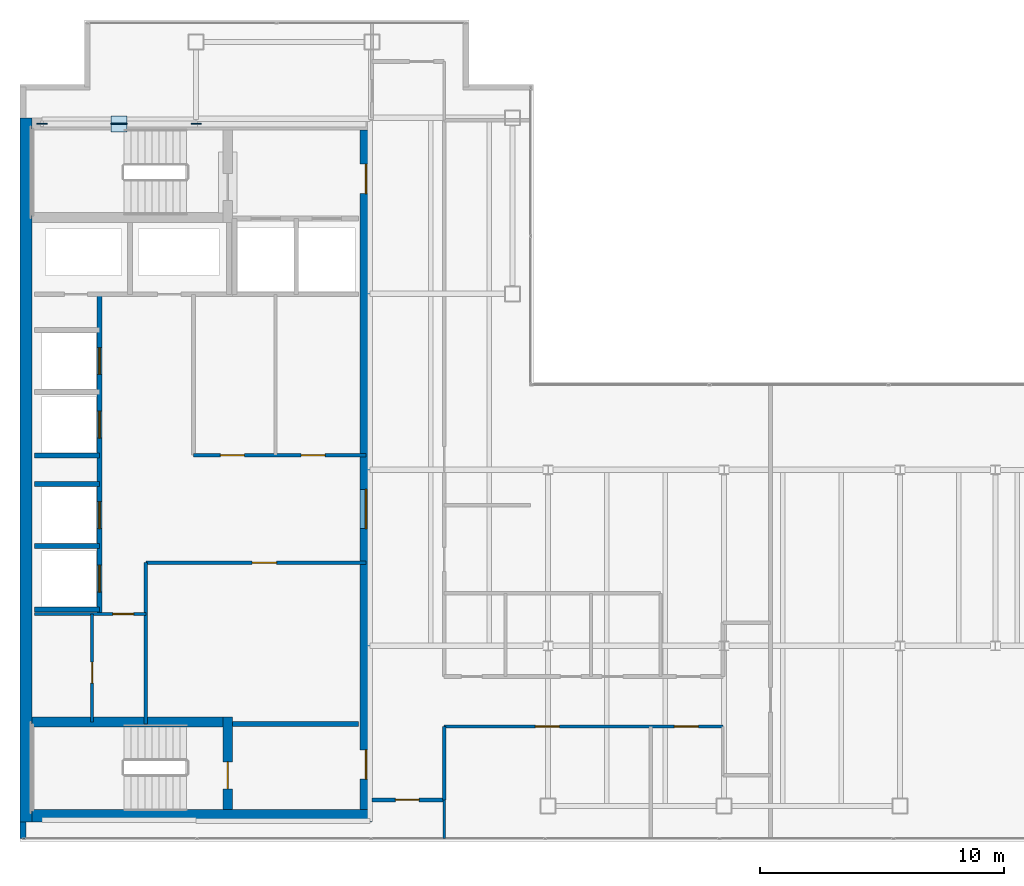
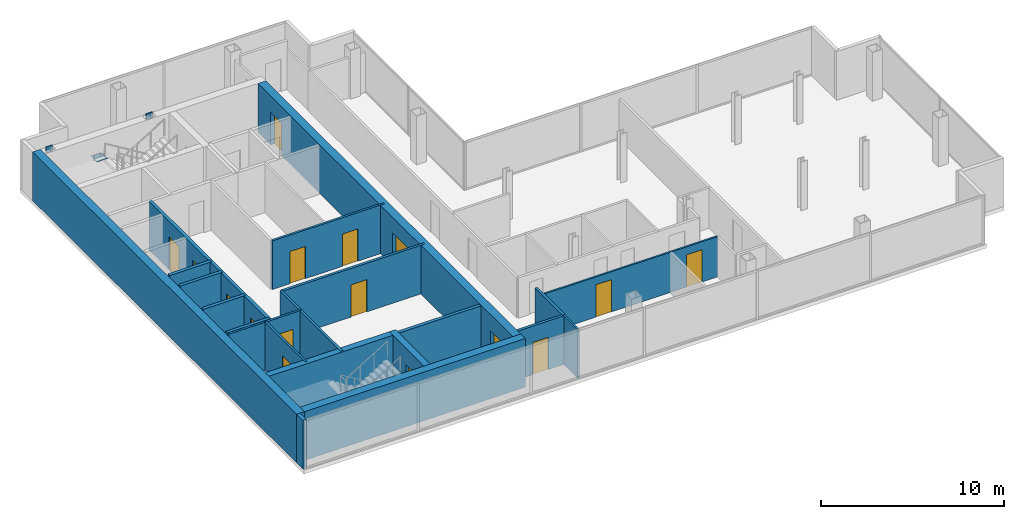
# One storey, part 20 of 23: 21 walls, 16 doors, 5 plates, 16 openings.
"""IFC4 building model written with IfcOpenShell, lengths in metres."""

import ifcopenshell
import ifcopenshell.guid

model = None  # the IFC model being written
_history = None  # IfcOwnerHistory: only IFC2X3 demands one
_inside = {}  # id of a spatial element -> (the spatial element, [elements in it])
_under = {}  # id of a project, library or spatial element -> (it, [spatial elements below it])
_declared = {}  # id of a project -> (the project, [libraries it declares])
_typed = {}  # id of a type object -> (the type object, [elements of that type])
_made_of = {}  # id of a material, layer set ... -> (it, [elements and type objects made of it])


def new_model(schema):
    """Start an empty IFC model of exactly this schema.

    Asked for "IFC4X3", IfcOpenShell would pick the latest addendum, in which some entities
    have other attributes; the version numbers below select the first issue.
    IFC2X3 requires an IfcOwnerHistory on every rooted entity: one is made here for all.
    """
    global model, _history
    if schema == "IFC4X3":
        model = ifcopenshell.file(schema_version=(4, 3, 0, 0))
    else:
        model = ifcopenshell.file(schema=schema)
    _inside.clear()
    _under.clear()
    _declared.clear()
    _typed.clear()
    _made_of.clear()
    _history = None
    if model.schema == "IFC2X3":
        org = make("IfcOrganization", Name="unknown")
        user = make(
            "IfcPersonAndOrganization",
            ThePerson=make("IfcPerson", FamilyName="unknown"),
            TheOrganization=org,
        )
        app = make(
            "IfcApplication",
            ApplicationDeveloper=org,
            Version="unknown",
            ApplicationFullName="unknown",
            ApplicationIdentifier="unknown",
        )
        _history = make(
            "IfcOwnerHistory",
            OwningUser=user,
            OwningApplication=app,
            ChangeAction="ADDED",
            CreationDate=0,
        )
    return model


def make(cls, **values):
    """One entity of the class cls with the attributes given. An attribute that is None is left unset."""
    return model.create_entity(
        cls, **{name: value for name, value in values.items() if value is not None}
    )


def rooted(cls, **values):
    """An entity with a GlobalId (a new one), such as an element, a storey or a relation."""
    return make(cls, GlobalId=ifcopenshell.guid.new(), OwnerHistory=_history, **values)


def si_unit(unit_type, name, prefix=None):
    """IfcSIUnit, for example si_unit("LENGTHUNIT", "METRE", prefix="MILLI")."""
    return make("IfcSIUnit", UnitType=unit_type, Prefix=prefix, Name=name)


def assignment(units):
    """IfcUnitAssignment: the units of a project."""
    return None if units is None else make("IfcUnitAssignment", Units=units)


def point(xyz):
    """IfcCartesianPoint."""
    return None if xyz is None else make("IfcCartesianPoint", Coordinates=xyz)


def direction(xyz):
    """IfcDirection."""
    return None if xyz is None else make("IfcDirection", DirectionRatios=xyz)


def frame(location, z_axis=None, x_axis=None):
    """IfcAxis2Placement3D, a coordinate frame: its origin and axes. An axis left out is left unset."""
    return make(
        "IfcAxis2Placement3D",
        Location=point(location),
        Axis=direction(z_axis),
        RefDirection=direction(x_axis),
    )


def frame_2d(location, x_axis=None):
    """IfcAxis2Placement2D, a coordinate frame in the plane: its origin and x axis."""
    return make(
        "IfcAxis2Placement2D", Location=point(location), RefDirection=direction(x_axis)
    )


def origin():
    """The frame at (0, 0, 0) with its axes left unset."""
    return frame((0.0, 0.0, 0.0))


def origin_2d():
    """The frame at (0, 0) in the plane with its x axis left unset."""
    return frame_2d((0.0, 0.0))


def place(relative_to, where):
    """IfcLocalPlacement: puts the frame where relative to a parent placement (None: the world)."""
    return make(
        "IfcLocalPlacement", PlacementRelTo=relative_to, RelativePlacement=where
    )


def context(
    kind, dimensions, precision=None, world=None, true_north=None, identifier=None
):
    """IfcGeometricRepresentationContext, for example the 3D "Model" context."""
    return make(
        "IfcGeometricRepresentationContext",
        ContextIdentifier=identifier,
        ContextType=kind,
        CoordinateSpaceDimension=dimensions,
        Precision=precision,
        WorldCoordinateSystem=world,
        TrueNorth=true_north,
    )


def subcontext(parent, identifier, kind, view, scale=None):
    """IfcGeometricRepresentationSubContext, for example "Body" below "Model"."""
    return make(
        "IfcGeometricRepresentationSubContext",
        ContextIdentifier=identifier,
        ContextType=kind,
        ParentContext=parent,
        TargetScale=scale,
        TargetView=view,
    )


def project(units=None, contexts=None):
    """IfcProject with its units and contexts."""
    return rooted(
        "IfcProject",
        Name="project",
        RepresentationContexts=contexts,
        UnitsInContext=assignment(units),
    )


def spatial(cls, under=None, at=None, **own):
    """A site, building, storey or space (cls), placed at a placement, below another one or the project."""
    s = rooted(cls, ObjectPlacement=at, **own)
    if under is not None:
        _under.setdefault(under.id(), (under, []))[1].append(s)
    return s


def profile(cls, at=None, kind="AREA", **sizes):
    """A parametric profile (cls). Its sizes go by their IFC names, for example OverallWidth=200.0."""
    return make(cls, ProfileType=kind, Position=at, **sizes)


def rectangle(**sizes):
    """IfcRectangleProfileDef."""
    return profile("IfcRectangleProfileDef", **sizes)


def extrude(swept, where, along, depth):
    """IfcExtrudedAreaSolid: the profile swept, set in the frame where, extruded along a direction by depth."""
    return make(
        "IfcExtrudedAreaSolid",
        SweptArea=swept,
        Position=where,
        ExtrudedDirection=direction(along),
        Depth=depth,
    )


def shape(context_of_items, identifier, shape_type, items):
    """IfcShapeRepresentation: the items that make up one representation, for example the "Body"."""
    return make(
        "IfcShapeRepresentation",
        ContextOfItems=context_of_items,
        RepresentationIdentifier=identifier,
        RepresentationType=shape_type,
        Items=items,
    )


def material(Name=None, Category=None):
    """IfcMaterial."""
    return make("IfcMaterial", Name=Name, Category=Category)


def layer(
    of_material, thickness, ventilated=None, Name=None, Category=None, Priority=None
):
    """IfcMaterialLayer: one layer of a wall or slab, of a material (None: an air gap)."""
    return make(
        "IfcMaterialLayer",
        Material=of_material,
        LayerThickness=thickness,
        IsVentilated=ventilated,
        Name=Name,
        Category=Category,
        Priority=Priority,
    )


def layer_set(layers, Name=None):
    """IfcMaterialLayerSet."""
    return make("IfcMaterialLayerSet", MaterialLayers=layers, LayerSetName=Name)


def made_of(thing, what):
    """Note that an element or type object is made of a material, layer set ...; save() writes the relation."""
    if what is not None:
        _made_of.setdefault(what.id(), (what, []))[1].append(thing)
    return thing


def type_object(cls, material=None, **own):
    """A type object (cls), such as IfcWallType, which elements share."""
    return made_of(rooted(cls, **own), material)


def element(
    cls,
    number,
    at=None,
    inside=None,
    cuts=None,
    type_object=None,
    material=None,
    context=None,
    identifier="Body",
    shape_type=None,
    held_by="IfcProductDefinitionShape",
    body=None,
    shapes=None,
    **own,
):
    """One element of the class cls, such as IfcWall. Its Tag is "e" and its number.

    at: its placement. inside: the storey or other place that contains it. cuts: it is an
    opening in that element (IfcRelVoidsElement). A single representation is given by context,
    identifier, shape_type and body (its items); several are given by shapes. held_by: the class
    of the entity that holds the representations. save() writes the other relations.
    """
    e = rooted(cls, Tag="e%d" % number, ObjectPlacement=at, **own)
    if body is not None:
        shapes = [shape(context, identifier, shape_type, body)]
    if shapes is not None:
        e.Representation = make(held_by, Representations=shapes)
    if inside is not None:
        _inside.setdefault(inside.id(), (inside, []))[1].append(e)
    if cuts is not None:
        rooted(
            "IfcRelVoidsElement", RelatingBuildingElement=cuts, RelatedOpeningElement=e
        )
    if type_object is not None:
        _typed.setdefault(type_object.id(), (type_object, []))[1].append(e)
    return made_of(e, material)


def fill(opening, filler):
    """IfcRelFillsElement: the door or window that sits in an opening."""
    return rooted(
        "IfcRelFillsElement",
        RelatingOpeningElement=opening,
        RelatedBuildingElement=filler,
    )


def aggregate(whole, parts):
    """IfcRelAggregates: a whole, such as a stair, and the parts it consists of."""
    return rooted("IfcRelAggregates", RelatingObject=whole, RelatedObjects=parts)


def save(model, path):
    """Write the relations noted so far, then the file.

    IfcRelAggregates (storeys below a building ...), IfcRelContainedInSpatialStructure (elements
    in a storey), IfcRelDefinesByType, IfcRelAssociatesMaterial and IfcRelDeclares: one each for
    every whole, place, type object, material and project.
    """
    for whole, parts in _under.values():
        aggregate(whole, parts)
    for where, things in _inside.values():
        rooted(
            "IfcRelContainedInSpatialStructure",
            RelatedElements=things,
            RelatingStructure=where,
        )
    for kind, things in _typed.values():
        rooted("IfcRelDefinesByType", RelatedObjects=things, RelatingType=kind)
    for what, things in _made_of.values():
        rooted("IfcRelAssociatesMaterial", RelatedObjects=things, RelatingMaterial=what)
    for by, libraries in _declared.values():
        rooted("IfcRelDeclares", RelatingContext=by, RelatedDefinitions=libraries)
    model.write(path)


model = new_model("IFC4")

# Units and contexts
model_context = context("Model", 3, precision=1e-05, world=origin(), true_north=direction((0.0, 1.0)))
body_context = subcontext(model_context, "Body", "Model", "MODEL_VIEW")
ifc_project = project(units=[si_unit("LENGTHUNIT", "METRE"), si_unit("AREAUNIT", "SQUARE_METRE"), si_unit("VOLUMEUNIT", "CUBIC_METRE"), si_unit("PLANEANGLEUNIT", "RADIAN"), si_unit("MASSUNIT", "GRAM", prefix="KILO")], contexts=[model_context])

# Site, building, storey
site_placement = place(None, origin())
site = spatial("IfcSite", under=ifc_project, at=site_placement, CompositionType="ELEMENT")
building_placement = place(site_placement, origin())
building = spatial("IfcBuilding", under=site, at=building_placement, Name="Cobrela Telecom Tower", CompositionType="ELEMENT")
storey_placement = place(building_placement, frame((0.0, 0.0, 276.14990234375)))
storey = spatial("IfcBuildingStorey", under=building, at=storey_placement, Name="L72", CompositionType="ELEMENT", Elevation=276.14990234375)

# Plates
ifc_material_1 = material(Name="Steel ASTM A572 Grade 50", Category="steel")
ifc_layer_1 = layer(ifc_material_1, 0.0419921875)
ifc_layer_set_1 = layer_set([ifc_layer_1], Name="Steel ASTM A572 Grade 50")
plate_type = type_object("IfcPlateType", Name="PLT-NODE-ND1", PredefinedType="USERDEFINED", material=ifc_layer_set_1)
for number, where, z_axis, x_axis, name in (
    (1, (7.199951171875, 35.75, 3.0751953125), (0.0, 0.0, 1.0), (1.0, 0.0, 0.0), "Steel node plate PLT-MBR-EXO-L72-N1-A-1"),
    (2, (4.173828125, 35.75, 1.349609375), (0.0, 0.0, 1.0), (-1.0, 0.0, 0.0), "Steel node plate PLT-MBR-EXO-L72-N1-B1-1"),
    (3, (3.926025390625, 35.75, 1.48046875), (0.0, 0.0, 1.0), (-1.0, 0.0, 0.0), "Steel node plate PLT-MBR-EXO-L72-N1-B2-0"),
    (4, (0.89990234375, 35.75, 3.0751953125), (0.0, 0.0, 1.0), (-1.0, 0.0, 0.0), "Steel node plate PLT-MBR-EXO-L72-N1-B2-1"),
):
    element("IfcPlate", number, at=place(storey_placement, frame(where, z_axis=z_axis, x_axis=x_axis)), inside=storey, type_object=plate_type, Name=name, ObjectType="GUSSET PLATE", PredefinedType="USERDEFINED", context=body_context, shape_type="SweptSolid", body=[
        extrude(rectangle(XDim=0.409912109375, YDim=0.044921875, at=origin_2d()), origin(), (0.0, 0.0, 1.0), 0.409912109375),
    ])
plate_placement = place(storey_placement, frame((4.050048828125, 35.75, 1.59765625), z_axis=(0.0, 0.0, 1.0), x_axis=(1.0, 0.0, 0.0)))
element("IfcPlate", 5, at=plate_placement, inside=storey, type_object=plate_type, Name="L72 Core Flange Steel X-Brace Central X-Crossing Gusset Plate", ObjectType="GUSSET PLATE", PredefinedType="USERDEFINED", context=body_context, shape_type="SweptSolid", body=[
    extrude(rectangle(XDim=0.64990234375, YDim=0.64990234375, at=origin_2d()), origin(), (0.0, 0.0, 1.0), 0.044921875),
])

# Walls
ifc_material_2 = material(Name="Concrete C40/50", Category="concrete")
ifc_layer_2 = layer(ifc_material_2, 0.5)
ifc_layer_set_2 = layer_set([ifc_layer_2], Name="Concrete C40/50")
wall_type_1 = type_object("IfcWallType", Name="WALL-CORE-C40-500", PredefinedType="SHEAR", material=ifc_layer_set_2)
wall_1_placement = place(storey_placement, frame((0.25, 7.199951171875, 0.0), z_axis=(0.0, 0.0, 1.0), x_axis=(0.0, 1.0, 0.0)))
element("IfcWall", 6, at=wall_1_placement, inside=storey, type_object=wall_type_1, Name="L72 West Core Shear Wall", PredefinedType="SHEAR", context=body_context, shape_type="SweptSolid", body=[
    extrude(rectangle(XDim=28.800048828125, YDim=0.5, at=frame_2d((14.39990234375, 0.0))), origin(), (0.0, 0.0, 1.0), 3.239990234375),
])
wall_2_placement = place(storey_placement, frame((0.5, 7.449951171875, 0.0), z_axis=(0.0, 0.0, 1.0), x_axis=(1.0, 0.0, 0.0)))
element("IfcWall", 7, at=wall_2_placement, inside=storey, type_object=wall_type_1, Name="L72 South Core Shear Wall", PredefinedType="SHEAR", context=body_context, shape_type="SweptSolid", body=[
    extrude(rectangle(XDim=13.89990234375, YDim=0.5, at=frame_2d((6.949951171875, 0.0))), origin(), (0.0, 0.0, 1.0), 3.239990234375),
])

# Wall, openings, doors
wall_3_placement = place(storey_placement, frame((14.14990234375, 35.5, 0.0), z_axis=(0.0, 0.0, 1.0), x_axis=(0.0, -1.0, 0.0)))
wall_3 = element("IfcWall", 8, at=wall_3_placement, inside=storey, type_object=wall_type_1, Name="L72 East Core Shear Wall", PredefinedType="SHEAR", context=body_context, shape_type="SweptSolid", body=[
    extrude(rectangle(XDim=27.800048828125, YDim=0.5, at=frame_2d((13.89990234375, 0.0))), origin(), (0.0, 0.0, 1.0), 3.239990234375),
])
opening_1_placement = place(wall_3_placement, frame((1.39990234375, 0.0, 0.0)))
opening_1 = element("IfcOpeningElement", 9, at=opening_1_placement, cuts=wall_3, Name="Opening DR-19", PredefinedType="OPENING", context=body_context, shape_type="SweptSolid", body=[
    extrude(rectangle(XDim=1.199951171875, YDim=2.14990234375, at=frame_2d((0.60009765625, 1.074951171875))), frame((0.0, 0.261962890625, 0.0), z_axis=(0.0, -1.0, 0.0), x_axis=(1.0, 0.0, 0.0)), (0.0, 0.0, 1.0), 0.52392578125),
])
opening_2_placement = place(wall_3_placement, frame((25.35009765625, 0.0, 0.0)))
opening_2 = element("IfcOpeningElement", 10, at=opening_2_placement, cuts=wall_3, Name="Opening DR-19", PredefinedType="OPENING", context=body_context, shape_type="SweptSolid", body=[
    extrude(rectangle(XDim=1.199951171875, YDim=2.14990234375, at=frame_2d((0.60009765625, 1.074951171875))), frame((0.0, 0.261962890625, 0.0), z_axis=(0.0, -1.0, 0.0), x_axis=(1.0, 0.0, 0.0)), (0.0, 0.0, 1.0), 0.52392578125),
])
opening_3_placement = place(wall_3_placement, frame((14.699951171875, 0.0, 0.0)))
opening_3 = element("IfcOpeningElement", 11, at=opening_3_placement, cuts=wall_3, Name="Opening DR-51", PredefinedType="OPENING", context=body_context, shape_type="SweptSolid", body=[
    extrude(rectangle(XDim=1.60009765625, YDim=2.199951171875, at=frame_2d((0.800048828125, 1.10009765625))), frame((0.0, 0.261962890625, 0.0), z_axis=(0.0, -1.0, 0.0), x_axis=(1.0, 0.0, 0.0)), (0.0, 0.0, 1.0), 0.52392578125),
])
ifc_material_3 = material(Name="Steel ASTM A36", Category="steel")
door_type_1 = type_object("IfcDoorType", Name="DOOR-FD60-1200", OperationType="SINGLE_SWING_LEFT", PredefinedType="DOOR", material=ifc_material_3)
door_1_placement = place(opening_1_placement, origin())
door_1 = element("IfcDoor", 12, at=door_1_placement, inside=storey, type_object=door_type_1, Name="L72 Door DR-19", OperationType="SINGLE_SWING_LEFT", OverallHeight=2.14990234375, OverallWidth=1.199951171875, PredefinedType="DOOR", context=body_context, shape_type="SweptSolid", body=[
    extrude(rectangle(XDim=1.199951171875, YDim=2.14990234375, at=frame_2d((0.60009765625, 1.074951171875))), frame((0.0, 0.02490234375, 0.0), z_axis=(0.0, -1.0, 0.0), x_axis=(1.0, 0.0, 0.0)), (0.0, 0.0, 1.0), 0.050048828125),
])
fill(opening_1, door_1)
door_2_placement = place(opening_2_placement, origin())
door_2 = element("IfcDoor", 13, at=door_2_placement, inside=storey, type_object=door_type_1, Name="L72 Door DR-19", OperationType="SINGLE_SWING_RIGHT", OverallHeight=2.14990234375, OverallWidth=1.199951171875, PredefinedType="DOOR", context=body_context, shape_type="SweptSolid", body=[
    extrude(rectangle(XDim=1.199951171875, YDim=2.14990234375, at=frame_2d((0.60009765625, 1.074951171875))), frame((0.0, 0.02490234375, 0.0), z_axis=(0.0, -1.0, 0.0), x_axis=(1.0, 0.0, 0.0)), (0.0, 0.0, 1.0), 0.050048828125),
])
fill(opening_2, door_2)
door_type_2 = type_object("IfcDoorType", Name="DOOR-FD60-1600", OperationType="SINGLE_SWING_LEFT", PredefinedType="DOOR", material=ifc_material_3)
door_3_placement = place(opening_3_placement, origin())
door_3 = element("IfcDoor", 14, at=door_3_placement, inside=storey, type_object=door_type_2, Name="L72 Door DR-51", OperationType="DOUBLE_DOOR_SINGLE_SWING", OverallHeight=2.199951171875, OverallWidth=1.60009765625, PredefinedType="DOOR", context=body_context, shape_type="SweptSolid", body=[
    extrude(rectangle(XDim=1.60009765625, YDim=2.199951171875, at=frame_2d((0.800048828125, 1.10009765625))), frame((0.0, 0.02490234375, 0.0), z_axis=(0.0, -1.0, 0.0), x_axis=(1.0, 0.0, 0.0)), (0.0, 0.0, 1.0), 0.050048828125),
])
fill(opening_3, door_3)

# Wall
ifc_layer_3 = layer(ifc_material_2, 0.239990234375)
ifc_layer_set_3 = layer_set([ifc_layer_3], Name="Concrete C40/50")
wall_type_2 = type_object("IfcWallType", Name="WALL-EXT-300", PredefinedType="STANDARD", material=ifc_layer_set_3)
wall_4_placement = place(storey_placement, frame((0.1201171875, 6.52001953125, 0.0), z_axis=(0.0, 0.0, 1.0), x_axis=(0.0, 1.0, 0.0)))
element("IfcWall", 15, at=wall_4_placement, inside=storey, type_object=wall_type_2, Name="L72 Insulated Facade Wall 01", PredefinedType="STANDARD", context=body_context, shape_type="SweptSolid", body=[
    extrude(rectangle(XDim=0.679931640625, YDim=0.239990234375, at=frame_2d((0.33984375, 0.0))), origin(), (0.0, 0.0, 1.0), 3.239990234375),
])

# Wall, openings, doors
ifc_material_4 = material(Name="Fire-Rated Gypsum Plasterboard")
ifc_layer_4 = layer(ifc_material_4, 0.110107421875)
ifc_layer_set_4 = layer_set([ifc_layer_4], Name="Fire-Rated Gypsum Plasterboard")
wall_type_3 = type_object("IfcWallType", Name="WALL-PART-110", PredefinedType="PARTITIONING", material=ifc_layer_set_4)
wall_5_placement = place(storey_placement, frame((17.35009765625, 11.10009765625, 0.0), z_axis=(0.0, 0.0, 1.0), x_axis=(1.0, 0.0, 0.0)))
wall_5 = element("IfcWall", 16, at=wall_5_placement, inside=storey, type_object=wall_type_3, Name="L72 Interior Partition W-C-HS", PredefinedType="PARTITIONING", context=body_context, shape_type="SweptSolid", body=[
    extrude(rectangle(XDim=11.39990234375, YDim=0.110107421875, at=frame_2d((5.699951171875, 0.0))), origin(), (0.0, 0.0, 1.0), 2.676025390625),
])
opening_4_placement = place(wall_5_placement, frame((3.72998046875, 0.0, 0.0)))
opening_4 = element("IfcOpeningElement", 17, at=opening_4_placement, cuts=wall_5, Name="Opening DR-17", PredefinedType="OPENING", context=body_context, shape_type="SweptSolid", body=[
    extrude(rectangle(XDim=0.97998046875, YDim=2.14990234375, at=frame_2d((0.489990234375, 1.074951171875))), frame((0.0, 0.06689453125, 0.0), z_axis=(0.0, -1.0, 0.0), x_axis=(1.0, 0.0, 0.0)), (0.0, 0.0, 1.0), 0.134033203125),
])
opening_5_placement = place(wall_5_placement, frame((9.419921875, 0.0, 0.0)))
opening_5 = element("IfcOpeningElement", 18, at=opening_5_placement, cuts=wall_5, Name="Opening DR-17", PredefinedType="OPENING", context=body_context, shape_type="SweptSolid", body=[
    extrude(rectangle(XDim=0.97998046875, YDim=2.14990234375, at=frame_2d((0.489990234375, 1.074951171875))), frame((0.0, 0.06689453125, 0.0), z_axis=(0.0, -1.0, 0.0), x_axis=(1.0, 0.0, 0.0)), (0.0, 0.0, 1.0), 0.134033203125),
])
ifc_material_5 = material(Name="Solid Engineered Oak Timber", Category="wood")
door_type_3 = type_object("IfcDoorType", Name="DOOR-INT-980", OperationType="SINGLE_SWING_LEFT", PredefinedType="DOOR", material=ifc_material_5)
door_4_placement = place(opening_4_placement, origin())
door_4 = element("IfcDoor", 19, at=door_4_placement, inside=storey, type_object=door_type_3, Name="L72 Door DR-17", OperationType="SINGLE_SWING_LEFT", OverallHeight=2.14990234375, OverallWidth=0.97998046875, PredefinedType="DOOR", context=body_context, shape_type="SweptSolid", body=[
    extrude(rectangle(XDim=0.97998046875, YDim=2.14990234375, at=frame_2d((0.489990234375, 1.074951171875))), frame((0.0, 0.02490234375, 0.0), z_axis=(0.0, -1.0, 0.0), x_axis=(1.0, 0.0, 0.0)), (0.0, 0.0, 1.0), 0.050048828125),
])
fill(opening_4, door_4)
door_5_placement = place(opening_5_placement, origin())
door_5 = element("IfcDoor", 20, at=door_5_placement, inside=storey, type_object=door_type_3, Name="L72 Door DR-17", OperationType="SINGLE_SWING_RIGHT", OverallHeight=2.14990234375, OverallWidth=0.97998046875, PredefinedType="DOOR", context=body_context, shape_type="SweptSolid", body=[
    extrude(rectangle(XDim=0.97998046875, YDim=2.14990234375, at=frame_2d((0.489990234375, 1.074951171875))), frame((0.0, 0.02490234375, 0.0), z_axis=(0.0, -1.0, 0.0), x_axis=(1.0, 0.0, 0.0)), (0.0, 0.0, 1.0), 0.050048828125),
])
fill(opening_5, door_5)

# Wall
wall_6_placement = place(storey_placement, frame((17.35009765625, 6.52001953125, 0.0), z_axis=(0.0, 0.0, 1.0), x_axis=(0.0, 1.0, 0.0)))
element("IfcWall", 21, at=wall_6_placement, inside=storey, type_object=wall_type_3, Name="L72 Interior Partition W-SW-E", PredefinedType="PARTITIONING", context=body_context, shape_type="SweptSolid", body=[
    extrude(rectangle(XDim=1.580078125, YDim=0.110107421875, at=frame_2d((0.7900390625, 0.0))), origin(), (0.0, 0.0, 1.0), 3.239990234375),
])

# Wall, opening, door
ifc_layer_5 = layer(ifc_material_4, 0.125)
ifc_layer_set_5 = layer_set([ifc_layer_5], Name="Fire-Rated Gypsum Plasterboard")
wall_type_4 = type_object("IfcWallType", Name="WALL-PART-125", PredefinedType="PARTITIONING", material=ifc_layer_set_5)
wall_7_placement = place(storey_placement, frame((2.949951171875, 11.280029296875, 0.0), z_axis=(0.0, 0.0, 1.0), x_axis=(0.0, 1.0, 0.0)))
wall_7 = element("IfcWall", 22, at=wall_7_placement, inside=storey, type_object=wall_type_4, Name="L72 Interior Partition CW-FK1-V", PredefinedType="PARTITIONING", context=body_context, shape_type="SweptSolid", body=[
    extrude(rectangle(XDim=4.419921875, YDim=0.125, at=frame_2d((2.2099609375, 0.0))), origin(), (0.0, 0.0, 1.0), 3.239990234375),
])
opening_6_placement = place(wall_7_placement, frame((1.60009765625, 0.0, 0.0)))
opening_6 = element("IfcOpeningElement", 23, at=opening_6_placement, cuts=wall_7, Name="Opening DR-11", PredefinedType="OPENING", context=body_context, shape_type="SweptSolid", body=[
    extrude(rectangle(XDim=0.85009765625, YDim=2.14990234375, at=frame_2d((0.425048828125, 1.074951171875))), frame((0.0, 0.074462890625, 0.0), z_axis=(0.0, -1.0, 0.0), x_axis=(1.0, 0.0, 0.0)), (0.0, 0.0, 1.0), 0.14892578125),
])
door_type_4 = type_object("IfcDoorType", Name="DOOR-INT-850", OperationType="SINGLE_SWING_LEFT", PredefinedType="DOOR", material=ifc_material_5)
door_6_placement = place(opening_6_placement, origin())
door_6 = element("IfcDoor", 24, at=door_6_placement, inside=storey, type_object=door_type_4, Name="L72 Door DR-11", OperationType="SINGLE_SWING_RIGHT", OverallHeight=2.14990234375, OverallWidth=0.85009765625, PredefinedType="DOOR", context=body_context, shape_type="SweptSolid", body=[
    extrude(rectangle(XDim=0.85009765625, YDim=2.14990234375, at=frame_2d((0.425048828125, 1.074951171875))), frame((0.0, 0.02490234375, 0.0), z_axis=(0.0, -1.0, 0.0), x_axis=(1.0, 0.0, 0.0)), (0.0, 0.0, 1.0), 0.050048828125),
])
fill(opening_6, door_6)

# Wall, openings, doors
ifc_layer_6 = layer(ifc_material_4, 0.135009765625)
ifc_layer_set_6 = layer_set([ifc_layer_6], Name="Fire-Rated Gypsum Plasterboard")
wall_type_5 = type_object("IfcWallType", Name="WALL-PART-135", PredefinedType="PARTITIONING", material=ifc_layer_set_6)
wall_8_placement = place(storey_placement, frame((7.10009765625, 22.199951171875, 0.0), z_axis=(0.0, 0.0, 1.0), x_axis=(1.0, 0.0, 0.0)))
wall_8 = element("IfcWall", 25, at=wall_8_placement, inside=storey, type_object=wall_type_5, Name="L72 Interior Partition CW-RECL-S", PredefinedType="PARTITIONING", context=body_context, shape_type="SweptSolid", body=[
    extrude(rectangle(XDim=7.0498046875, YDim=0.135009765625, at=frame_2d((3.52490234375, 0.0))), origin(), (0.0, 0.0, 1.0), 3.239990234375),
])
opening_7_placement = place(wall_8_placement, frame((1.10009765625, 0.0, 0.0)))
opening_7 = element("IfcOpeningElement", 26, at=opening_7_placement, cuts=wall_8, Name="Opening DR-17", PredefinedType="OPENING", context=body_context, shape_type="SweptSolid", body=[
    extrude(rectangle(XDim=0.97998046875, YDim=2.14990234375, at=frame_2d((0.489990234375, 1.074951171875))), frame((0.0, 0.07958984375, 0.0), z_axis=(0.0, -1.0, 0.0), x_axis=(1.0, 0.0, 0.0)), (0.0, 0.0, 1.0), 0.158935546875),
])
opening_8_placement = place(wall_8_placement, frame((4.39990234375, 0.0, 0.0)))
opening_8 = element("IfcOpeningElement", 27, at=opening_8_placement, cuts=wall_8, Name="Opening DR-17", PredefinedType="OPENING", context=body_context, shape_type="SweptSolid", body=[
    extrude(rectangle(XDim=0.97998046875, YDim=2.14990234375, at=frame_2d((0.489990234375, 1.074951171875))), frame((0.0, 0.07958984375, 0.0), z_axis=(0.0, -1.0, 0.0), x_axis=(1.0, 0.0, 0.0)), (0.0, 0.0, 1.0), 0.158935546875),
])
door_7_placement = place(opening_7_placement, origin())
door_7 = element("IfcDoor", 28, at=door_7_placement, inside=storey, type_object=door_type_3, Name="L72 Door DR-17", OperationType="SINGLE_SWING_LEFT", OverallHeight=2.14990234375, OverallWidth=0.97998046875, PredefinedType="DOOR", context=body_context, shape_type="SweptSolid", body=[
    extrude(rectangle(XDim=0.97998046875, YDim=2.14990234375, at=frame_2d((0.489990234375, 1.074951171875))), frame((0.0, 0.02490234375, 0.0), z_axis=(0.0, -1.0, 0.0), x_axis=(1.0, 0.0, 0.0)), (0.0, 0.0, 1.0), 0.050048828125),
])
fill(opening_7, door_7)
door_8_placement = place(opening_8_placement, origin())
door_8 = element("IfcDoor", 29, at=door_8_placement, inside=storey, type_object=door_type_3, Name="L72 Door DR-17", OperationType="SINGLE_SWING_RIGHT", OverallHeight=2.14990234375, OverallWidth=0.97998046875, PredefinedType="DOOR", context=body_context, shape_type="SweptSolid", body=[
    extrude(rectangle(XDim=0.97998046875, YDim=2.14990234375, at=frame_2d((0.489990234375, 1.074951171875))), frame((0.0, 0.02490234375, 0.0), z_axis=(0.0, -1.0, 0.0), x_axis=(1.0, 0.0, 0.0)), (0.0, 0.0, 1.0), 0.050048828125),
])
fill(opening_8, door_8)

# Wall, opening, door
wall_9_placement = place(storey_placement, frame((0.60009765625, 15.699951171875, 0.0), z_axis=(0.0, 0.0, 1.0), x_axis=(1.0, 0.0, 0.0)))
wall_9 = element("IfcWall", 30, at=wall_9_placement, inside=storey, type_object=wall_type_5, Name="L72 Interior Partition CW-FLEX-N", PredefinedType="PARTITIONING", context=body_context, shape_type="SweptSolid", body=[
    extrude(rectangle(XDim=4.5498046875, YDim=0.135009765625, at=frame_2d((2.27490234375, 0.0))), origin(), (0.0, 0.0, 1.0), 3.239990234375),
])
opening_9_placement = place(wall_9_placement, frame((3.199951171875, 0.0, 0.0)))
opening_9 = element("IfcOpeningElement", 31, at=opening_9_placement, cuts=wall_9, Name="Opening DR-11", PredefinedType="OPENING", context=body_context, shape_type="SweptSolid", body=[
    extrude(rectangle(XDim=0.85009765625, YDim=2.14990234375, at=frame_2d((0.425048828125, 1.074951171875))), frame((0.0, 0.07958984375, 0.0), z_axis=(0.0, -1.0, 0.0), x_axis=(1.0, 0.0, 0.0)), (0.0, 0.0, 1.0), 0.158935546875),
])
door_9_placement = place(opening_9_placement, origin())
door_9 = element("IfcDoor", 32, at=door_9_placement, inside=storey, type_object=door_type_4, Name="L72 Door DR-11", OperationType="SINGLE_SWING_LEFT", OverallHeight=2.14990234375, OverallWidth=0.85009765625, PredefinedType="DOOR", context=body_context, shape_type="SweptSolid", body=[
    extrude(rectangle(XDim=0.85009765625, YDim=2.14990234375, at=frame_2d((0.425048828125, 1.074951171875))), frame((0.0, 0.02490234375, 0.0), z_axis=(0.0, -1.0, 0.0), x_axis=(1.0, 0.0, 0.0)), (0.0, 0.0, 1.0), 0.050048828125),
])
fill(opening_9, door_9)

# Walls
ifc_layer_7 = layer(ifc_material_4, 0.14990234375)
ifc_layer_set_7 = layer_set([ifc_layer_7], Name="Fire-Rated Gypsum Plasterboard")
wall_type_6 = type_object("IfcWallType", Name="WALL-PART-150", PredefinedType="PARTITIONING", material=ifc_layer_set_7)
wall_10_placement = place(storey_placement, frame((5.14990234375, 11.199951171875, 0.0), z_axis=(0.0, 0.0, 1.0), x_axis=(0.0, 1.0, 0.0)))
element("IfcWall", 33, at=wall_10_placement, inside=storey, type_object=wall_type_6, Name="L72 Interior Partition CW-RECM-W", PredefinedType="PARTITIONING", context=body_context, shape_type="SweptSolid", body=[
    extrude(rectangle(XDim=6.60009765625, YDim=0.14990234375, at=frame_2d((3.300048828125, 0.0))), origin(), (0.0, 0.0, 1.0), 3.239990234375),
])
wall_11_placement = place(storey_placement, frame((17.35009765625, 8.10009765625, 0.0), z_axis=(0.0, 0.0, 1.0), x_axis=(0.0, 1.0, 0.0)))
element("IfcWall", 34, at=wall_11_placement, inside=storey, type_object=wall_type_6, Name="L72 Interior Partition W-C-E1", PredefinedType="PARTITIONING", context=body_context, shape_type="SweptSolid", body=[
    extrude(rectangle(XDim=3.0, YDim=0.14990234375, at=frame_2d((1.5, 0.0))), origin(), (0.0, 0.0, 1.0), 3.239990234375),
])

# Wall, opening, door
ifc_layer_8 = layer(ifc_material_4, 0.159912109375)
ifc_layer_set_8 = layer_set([ifc_layer_8], Name="Fire-Rated Gypsum Plasterboard")
wall_type_7 = type_object("IfcWallType", Name="WALL-PART-160", PredefinedType="PARTITIONING", material=ifc_layer_set_8)
wall_12_placement = place(storey_placement, frame((5.14990234375, 17.800048828125, 0.0), z_axis=(0.0, 0.0, 1.0), x_axis=(1.0, 0.0, 0.0)))
wall_12 = element("IfcWall", 35, at=wall_12_placement, inside=storey, type_object=wall_type_7, Name="L72 Interior Partition CW-RECM-N", PredefinedType="PARTITIONING", context=body_context, shape_type="SweptSolid", body=[
    extrude(rectangle(XDim=9.0, YDim=0.159912109375, at=frame_2d((4.5, 0.0))), origin(), (0.0, 0.0, 1.0), 3.239990234375),
])
opening_10_placement = place(wall_12_placement, frame((4.35009765625, 0.0, 0.0)))
opening_10 = element("IfcOpeningElement", 36, at=opening_10_placement, cuts=wall_12, Name="Opening DR-31", PredefinedType="OPENING", context=body_context, shape_type="SweptSolid", body=[
    extrude(rectangle(XDim=1.0, YDim=2.14990234375, at=frame_2d((0.5, 1.074951171875))), frame((0.0, 0.091796875, 0.0), z_axis=(0.0, -1.0, 0.0), x_axis=(1.0, 0.0, 0.0)), (0.0, 0.0, 1.0), 0.183837890625),
])
door_type_5 = type_object("IfcDoorType", Name="DOOR-INT-1000", OperationType="SINGLE_SWING_LEFT", PredefinedType="DOOR", material=ifc_material_5)
door_10_placement = place(opening_10_placement, origin())
door_10 = element("IfcDoor", 37, at=door_10_placement, inside=storey, type_object=door_type_5, Name="L72 Door DR-31", OperationType="SINGLE_SWING_LEFT", OverallHeight=2.14990234375, OverallWidth=1.0, PredefinedType="DOOR", context=body_context, shape_type="SweptSolid", body=[
    extrude(rectangle(XDim=1.0, YDim=2.14990234375, at=frame_2d((0.5, 1.074951171875))), frame((0.0, 0.02490234375, 0.0), z_axis=(0.0, -1.0, 0.0), x_axis=(1.0, 0.0, 0.0)), (0.0, 0.0, 1.0), 0.050048828125),
])
fill(opening_10, door_10)

wall_13_placement = place(storey_placement, frame((14.39990234375, 8.10009765625, 0.0), z_axis=(0.0, 0.0, 1.0), x_axis=(1.0, 0.0, 0.0)))
wall_13 = element("IfcWall", 38, at=wall_13_placement, inside=storey, type_object=wall_type_7, Name="L72 Interior Partition W-C-S0", PredefinedType="PARTITIONING", context=body_context, shape_type="SweptSolid", body=[
    extrude(rectangle(XDim=2.9501953125, YDim=0.159912109375, at=frame_2d((1.47509765625, 0.0))), origin(), (0.0, 0.0, 1.0), 3.239990234375),
])
opening_11_placement = place(wall_13_placement, frame((0.949951171875, 0.0, 0.0)))
opening_11 = element("IfcOpeningElement", 39, at=opening_11_placement, cuts=wall_13, Name="Opening DR-17", PredefinedType="OPENING", context=body_context, shape_type="SweptSolid", body=[
    extrude(rectangle(XDim=0.97998046875, YDim=2.14990234375, at=frame_2d((0.489990234375, 1.074951171875))), frame((0.0, 0.091796875, 0.0), z_axis=(0.0, -1.0, 0.0), x_axis=(1.0, 0.0, 0.0)), (0.0, 0.0, 1.0), 0.183837890625),
])
door_11_placement = place(opening_11_placement, origin())
door_11 = element("IfcDoor", 40, at=door_11_placement, inside=storey, type_object=door_type_3, Name="L72 Door DR-17", OperationType="SINGLE_SWING_RIGHT", OverallHeight=2.14990234375, OverallWidth=0.97998046875, PredefinedType="DOOR", context=body_context, shape_type="SweptSolid", body=[
    extrude(rectangle(XDim=0.97998046875, YDim=2.14990234375, at=frame_2d((0.489990234375, 1.074951171875))), frame((0.0, 0.02490234375, 0.0), z_axis=(0.0, -1.0, 0.0), x_axis=(1.0, 0.0, 0.0)), (0.0, 0.0, 1.0), 0.050048828125),
])
fill(opening_11, door_11)

# Wall
ifc_layer_9 = layer(ifc_material_4, 0.199951171875)
ifc_layer_set_9 = layer_set([ifc_layer_9], Name="Fire-Rated Gypsum Plasterboard")
wall_type_8 = type_object("IfcWallType", Name="WALL-SHAFT-200", PredefinedType="PARTITIONING", material=ifc_layer_set_9)
wall_14_placement = place(storey_placement, frame((8.699951171875, 11.199951171875, 0.0), z_axis=(0.0, 0.0, 1.0), x_axis=(1.0, 0.0, 0.0)))
element("IfcWall", 41, at=wall_14_placement, inside=storey, type_object=wall_type_8, Name="L72 Shaft Enclosure CW-ST2L-N", PredefinedType="PARTITIONING", context=body_context, shape_type="SweptSolid", body=[
    extrude(rectangle(XDim=5.150146484375, YDim=0.199951171875, at=frame_2d((2.5751953125, 0.0))), origin(), (0.0, 0.0, 1.0), 3.239990234375),
])

# Wall, openings, doors
wall_15_placement = place(storey_placement, frame((3.25, 15.699951171875, 0.0), z_axis=(0.0, 0.0, 1.0), x_axis=(0.0, 1.0, 0.0)))
wall_15 = element("IfcWall", 42, at=wall_15_placement, inside=storey, type_object=wall_type_8, Name="L72 Shaft Enclosure CW-PLH-E", PredefinedType="PARTITIONING", context=body_context, shape_type="SweptSolid", body=[
    extrude(rectangle(XDim=13.080078125, YDim=0.199951171875, at=frame_2d((6.5400390625, 0.0))), origin(), (0.0, 0.0, 1.0), 3.239990234375),
])
opening_12_placement = place(wall_15_placement, frame((0.89990234375, 0.0, 0.0)))
opening_12 = element("IfcOpeningElement", 43, at=opening_12_placement, cuts=wall_15, Name="Opening LD-1", PredefinedType="OPENING", context=body_context, shape_type="SweptSolid", body=[
    extrude(rectangle(XDim=1.10009765625, YDim=2.199951171875, at=frame_2d((0.550048828125, 1.10009765625))), frame((0.0, 0.11181640625, 0.0), z_axis=(0.0, -1.0, 0.0), x_axis=(1.0, 0.0, 0.0)), (0.0, 0.0, 1.0), 0.223876953125),
])
opening_13_placement = place(wall_15_placement, frame((3.5, 0.0, 0.0)))
opening_13 = element("IfcOpeningElement", 44, at=opening_13_placement, cuts=wall_15, Name="Opening LD-1", PredefinedType="OPENING", context=body_context, shape_type="SweptSolid", body=[
    extrude(rectangle(XDim=1.10009765625, YDim=2.199951171875, at=frame_2d((0.550048828125, 1.10009765625))), frame((0.0, 0.11181640625, 0.0), z_axis=(0.0, -1.0, 0.0), x_axis=(1.0, 0.0, 0.0)), (0.0, 0.0, 1.0), 0.223876953125),
])
opening_14_placement = place(wall_15_placement, frame((7.199951171875, 0.0, 0.0)))
opening_14 = element("IfcOpeningElement", 45, at=opening_14_placement, cuts=wall_15, Name="Opening LD-1", PredefinedType="OPENING", context=body_context, shape_type="SweptSolid", body=[
    extrude(rectangle(XDim=1.10009765625, YDim=2.199951171875, at=frame_2d((0.550048828125, 1.10009765625))), frame((0.0, 0.11181640625, 0.0), z_axis=(0.0, -1.0, 0.0), x_axis=(1.0, 0.0, 0.0)), (0.0, 0.0, 1.0), 0.223876953125),
])
opening_15_placement = place(wall_15_placement, frame((9.800048828125, 0.0, 0.0)))
opening_15 = element("IfcOpeningElement", 46, at=opening_15_placement, cuts=wall_15, Name="Opening LD-1", PredefinedType="OPENING", context=body_context, shape_type="SweptSolid", body=[
    extrude(rectangle(XDim=1.10009765625, YDim=2.199951171875, at=frame_2d((0.550048828125, 1.10009765625))), frame((0.0, 0.11181640625, 0.0), z_axis=(0.0, -1.0, 0.0), x_axis=(1.0, 0.0, 0.0)), (0.0, 0.0, 1.0), 0.223876953125),
])
door_type_6 = type_object("IfcDoorType", Name="DOOR-LD-PL", OperationType="SINGLE_SWING_LEFT", PredefinedType="DOOR", material=ifc_material_3)
door_12_placement = place(opening_12_placement, origin())
door_12 = element("IfcDoor", 47, at=door_12_placement, inside=storey, type_object=door_type_6, Name="L72 Lift Landing Door LD-1", OperationType="DOUBLE_DOOR_SLIDING", OverallHeight=2.199951171875, OverallWidth=1.10009765625, PredefinedType="DOOR", context=body_context, shape_type="SweptSolid", body=[
    extrude(rectangle(XDim=1.10009765625, YDim=2.199951171875, at=frame_2d((0.550048828125, 1.10009765625))), frame((0.0, 0.02490234375, 0.0), z_axis=(0.0, -1.0, 0.0), x_axis=(1.0, 0.0, 0.0)), (0.0, 0.0, 1.0), 0.050048828125),
])
fill(opening_12, door_12)
door_13_placement = place(opening_13_placement, origin())
door_13 = element("IfcDoor", 48, at=door_13_placement, inside=storey, type_object=door_type_6, Name="L72 Lift Landing Door LD-1", OperationType="DOUBLE_DOOR_SLIDING", OverallHeight=2.199951171875, OverallWidth=1.10009765625, PredefinedType="DOOR", context=body_context, shape_type="SweptSolid", body=[
    extrude(rectangle(XDim=1.10009765625, YDim=2.199951171875, at=frame_2d((0.550048828125, 1.10009765625))), frame((0.0, 0.02490234375, 0.0), z_axis=(0.0, -1.0, 0.0), x_axis=(1.0, 0.0, 0.0)), (0.0, 0.0, 1.0), 0.050048828125),
])
fill(opening_13, door_13)
door_14_placement = place(opening_14_placement, origin())
door_14 = element("IfcDoor", 49, at=door_14_placement, inside=storey, type_object=door_type_6, Name="L72 Lift Landing Door LD-1", OperationType="DOUBLE_DOOR_SLIDING", OverallHeight=2.199951171875, OverallWidth=1.10009765625, PredefinedType="DOOR", context=body_context, shape_type="SweptSolid", body=[
    extrude(rectangle(XDim=1.10009765625, YDim=2.199951171875, at=frame_2d((0.550048828125, 1.10009765625))), frame((0.0, 0.02490234375, 0.0), z_axis=(0.0, -1.0, 0.0), x_axis=(1.0, 0.0, 0.0)), (0.0, 0.0, 1.0), 0.050048828125),
])
fill(opening_14, door_14)
door_15_placement = place(opening_15_placement, origin())
door_15 = element("IfcDoor", 50, at=door_15_placement, inside=storey, type_object=door_type_6, Name="L72 Lift Landing Door LD-1", OperationType="DOUBLE_DOOR_SLIDING", OverallHeight=2.199951171875, OverallWidth=1.10009765625, PredefinedType="DOOR", context=body_context, shape_type="SweptSolid", body=[
    extrude(rectangle(XDim=1.10009765625, YDim=2.199951171875, at=frame_2d((0.550048828125, 1.10009765625))), frame((0.0, 0.02490234375, 0.0), z_axis=(0.0, -1.0, 0.0), x_axis=(1.0, 0.0, 0.0)), (0.0, 0.0, 1.0), 0.050048828125),
])
fill(opening_15, door_15)

# Walls
for number, where, z_axis, x_axis, name in (
    (51, (0.60009765625, 15.8798828125, 0.0), (0.0, 0.0, 1.0), (1.0, 0.0, 0.0), "L72 Shaft Enclosure CW-PLH-D9"),
    (52, (0.60009765625, 18.47998046875, 0.0), (0.0, 0.0, 1.0), (1.0, 0.0, 0.0), "L72 Shaft Enclosure CW-PLH-D10"),
    (53, (0.60009765625, 22.179931640625, 0.0), (0.0, 0.0, 1.0), (1.0, 0.0, 0.0), "L72 Shaft Enclosure CW-PLH-D11"),
    (54, (0.60009765625, 21.02001953125, 0.0), (0.0, 0.0, 1.0), (1.0, 0.0, 0.0), "L72 Shaft Enclosure CW-PLH-MID"),
):
    element("IfcWall", number, at=place(storey_placement, frame(where, z_axis=z_axis, x_axis=x_axis)), inside=storey, type_object=wall_type_8, Name=name, PredefinedType="PARTITIONING", context=body_context, shape_type="SweptSolid", body=[
        extrude(rectangle(XDim=2.64990234375, YDim=0.199951171875, at=frame_2d((1.324951171875, 0.0))), origin(), (0.0, 0.0, 1.0), 3.239990234375),
    ])
ifc_layer_10 = layer(ifc_material_2, 0.39990234375)
ifc_layer_set_10 = layer_set([ifc_layer_10], Name="Concrete C40/50")
wall_type_9 = type_object("IfcWallType", Name="WALL-SHAFT-C40-400", PredefinedType="SHEAR", material=ifc_layer_set_10)
wall_16_placement = place(storey_placement, frame((0.5, 11.280029296875, 0.0), z_axis=(0.0, 0.0, 1.0), x_axis=(1.0, 0.0, 0.0)))
element("IfcWall", 55, at=wall_16_placement, inside=storey, type_object=wall_type_9, Name="L72 South Stair Shear Wall", PredefinedType="SHEAR", context=body_context, shape_type="SweptSolid", body=[
    extrude(rectangle(XDim=7.800048828125, YDim=0.39990234375, at=frame_2d((3.89990234375, 0.0))), origin(), (0.0, 0.0, 1.0), 3.239990234375),
])

# Wall, opening, door
wall_17_placement = place(storey_placement, frame((8.5, 7.699951171875, 0.0), z_axis=(0.0, 0.0, 1.0), x_axis=(0.0, 1.0, 0.0)))
wall_17 = element("IfcWall", 56, at=wall_17_placement, inside=storey, type_object=wall_type_9, Name="L72 South Stair Lobby Shear Wall", PredefinedType="SHEAR", context=body_context, shape_type="SweptSolid", body=[
    extrude(rectangle(XDim=3.780029296875, YDim=0.39990234375, at=frame_2d((1.89013671875, 0.0))), origin(), (0.0, 0.0, 1.0), 3.239990234375),
])
opening_16_placement = place(wall_17_placement, frame((0.85009765625, 0.0, 0.0)))
opening_16 = element("IfcOpeningElement", 57, at=opening_16_placement, cuts=wall_17, Name="Opening FD-90", PredefinedType="OPENING", context=body_context, shape_type="SweptSolid", body=[
    extrude(rectangle(XDim=1.10009765625, YDim=2.14990234375, at=frame_2d((0.550048828125, 1.074951171875))), frame((0.0, 0.2119140625, 0.0), z_axis=(0.0, -1.0, 0.0), x_axis=(1.0, 0.0, 0.0)), (0.0, 0.0, 1.0), 0.423828125),
])
door_type_7 = type_object("IfcDoorType", Name="DOOR-FD90-1100", OperationType="SINGLE_SWING_LEFT", PredefinedType="DOOR", material=ifc_material_3)
door_16_placement = place(opening_16_placement, origin())
door_16 = element("IfcDoor", 58, at=door_16_placement, inside=storey, type_object=door_type_7, Name="L72 Door FD-90", OperationType="SINGLE_SWING_LEFT", OverallHeight=2.14990234375, OverallWidth=1.10009765625, PredefinedType="DOOR", context=body_context, shape_type="SweptSolid", body=[
    extrude(rectangle(XDim=1.10009765625, YDim=2.14990234375, at=frame_2d((0.550048828125, 1.074951171875))), frame((0.0, 0.02490234375, 0.0), z_axis=(0.0, -1.0, 0.0), x_axis=(1.0, 0.0, 0.0)), (0.0, 0.0, 1.0), 0.050048828125),
])
fill(opening_16, door_16)

save(model, "model.ifc")
